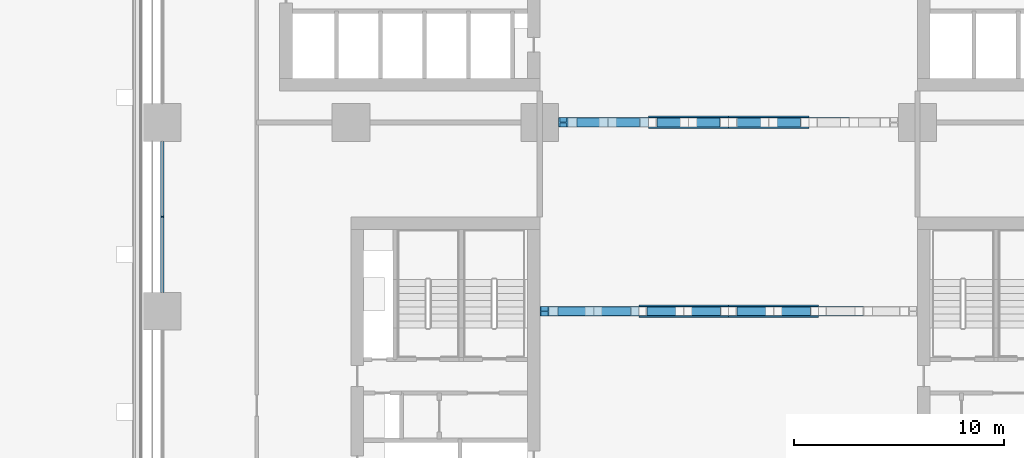
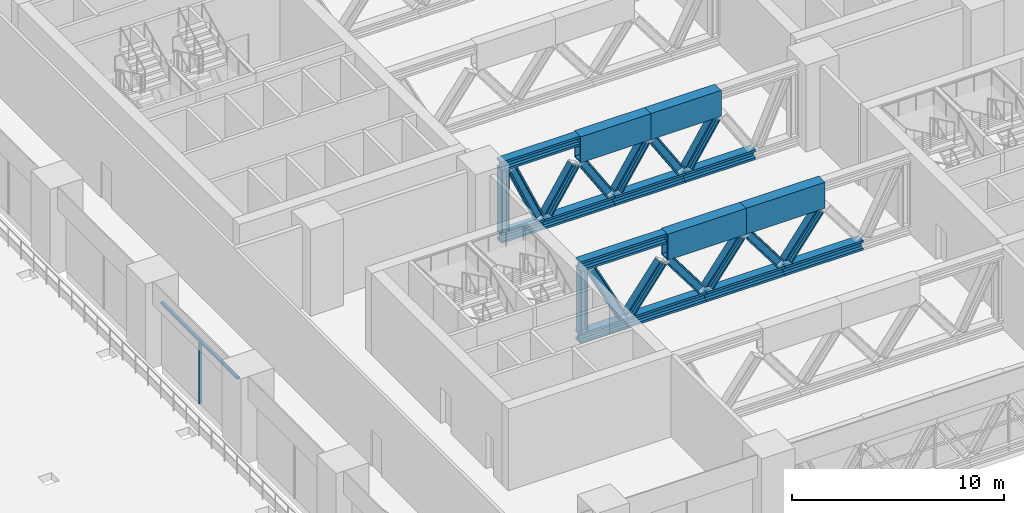
# One storey, part 4 of 35: 30 members, 1 element without a shape of its own.
"""IFC4 building model written with IfcOpenShell, lengths in metres."""

from ifc_helpers import new_model, si_unit, direction, frame, origin, origin_2d, place, context, subcontext, project, spatial, rectangle, hollow_rectangle, i_section, extrude, material, material_profile, profile_set, type_object, element, aggregate, save


model = new_model("IFC4")

# Units and contexts
model_context = context("Model", 3, precision=1e-05, world=origin(), true_north=direction((0.0, 1.0)))
body_context = subcontext(model_context, "Body", "Model", "MODEL_VIEW")
ifc_project = project(units=[si_unit("LENGTHUNIT", "METRE"), si_unit("AREAUNIT", "SQUARE_METRE"), si_unit("VOLUMEUNIT", "CUBIC_METRE"), si_unit("PLANEANGLEUNIT", "RADIAN"), si_unit("MASSUNIT", "GRAM", prefix="KILO")], contexts=[model_context])

# Site, building, storey
site_placement = place(None, origin())
site = spatial("IfcSite", under=ifc_project, at=site_placement, CompositionType="ELEMENT")
building_placement = place(site_placement, origin())
building = spatial("IfcBuilding", under=site, at=building_placement, Name="Tessera Arch", CompositionType="ELEMENT")
storey_placement = place(building_placement, frame((0.0, 0.0, 26.0)))
storey = spatial("IfcBuildingStorey", under=building, at=storey_placement, Name="L04", CompositionType="ELEMENT", Elevation=26.0)

# Curtain wall, members
ifc_material_1 = material(Name="CW7 curtain wall")
curtain_wall_type = type_object("IfcCurtainWallType", Name="CW7 curtain wall", PredefinedType="NOTDEFINED", material=ifc_material_1)
curtain_wall_placement = place(storey_placement, origin())
curtain_wall = element("IfcCurtainWall", 1, at=curtain_wall_placement, inside=storey, type_object=curtain_wall_type, Name="CW7 curtain wall W0.0/3 L04", PredefinedType="NOTDEFINED")
ifc_material_2 = material(Name="Anodised aluminium pale metal", Category="aluminium")
ifc_material_profile_1 = material_profile(ifc_material_2, rectangle(XDim=0.159912109375, YDim=0.06005859375, at=origin_2d()), Name="AL 60x160")
ifc_profile_set_1 = profile_set([ifc_material_profile_1], Name="Anodised aluminium pale metal")
member_type_1 = type_object("IfcMemberType", Name="CW7 mullion", PredefinedType="MULLION", material=ifc_profile_set_1)
member_1_placement = place(storey_placement, frame((0.0, 22.5, 0.0), z_axis=(0.0, 0.0, 1.0), x_axis=(1.0, 0.0, 0.0)))
member_1 = element("IfcMember", 2, at=member_1_placement, type_object=member_type_1, Name="CW7 mullion W0.0/3 1", PredefinedType="MULLION", context=body_context, shape_type="SweptSolid", body=[
    extrude(rectangle(XDim=0.159912109375, YDim=0.06005859375, at=origin_2d()), origin(), (0.0, 0.0, 1.0), 3.580078125),
])
ifc_material_3 = material(Name="Anodised aluminium pale metal", Category="aluminium")
ifc_material_profile_2 = material_profile(ifc_material_3, rectangle(XDim=0.159912109375, YDim=0.1201171875, at=origin_2d()), Name="AL 160x120")
ifc_profile_set_2 = profile_set([ifc_material_profile_2], Name="Anodised aluminium pale metal")
member_type_2 = type_object("IfcMemberType", Name="CW7 transom", PredefinedType="USERDEFINED", material=ifc_profile_set_2)
member_2_placement = place(storey_placement, frame((0.0, 26.10009765625, 3.639892578125), z_axis=(0.0, -1.0, 0.0), x_axis=(1.0, 0.0, 0.0)))
member_2 = element("IfcMember", 3, at=member_2_placement, type_object=member_type_2, Name="CW7 transom W0.0/3 1.1", ObjectType="TRANSOM", PredefinedType="USERDEFINED", context=body_context, shape_type="SweptSolid", body=[
    extrude(rectangle(XDim=0.159912109375, YDim=0.1201171875, at=origin_2d()), origin(), (0.0, 0.0, 1.0), 7.2001953125),
])
aggregate(curtain_wall, [member_1, member_2])

# Members
ifc_material_4 = material(Name="Steel A572 Gr50", Category="steel")
ifc_material_profile_3 = material_profile(ifc_material_4, hollow_rectangle(XDim=0.60009765625, YDim=1.5, WallThickness=0.06005859375, at=origin_2d()), Name="BOX 600x1500x60")
ifc_profile_set_3 = profile_set([ifc_material_profile_3], Name="Steel A572 Gr50")
member_type_3 = type_object("IfcMemberType", Name="Transfer truss node girder BOX 600x1500x60", PredefinedType="CHORD", material=ifc_profile_set_3)
for number, where, z_axis, x_axis, name in (
    (4, (22.71728515625, 18.0, 3.949951171875), (1.0, 0.0, 0.0), (0.0, 1.0, 0.0), "Transfer truss node girder 2"),
    (5, (27.0, 18.0, 3.949951171875), (1.0, 0.0, 0.0), (0.0, 1.0, 0.0), "Transfer truss node girder 3"),
):
    element("IfcMember", number, at=place(storey_placement, frame(where, z_axis=z_axis, x_axis=x_axis)), inside=storey, type_object=member_type_3, Name=name, PredefinedType="CHORD", context=body_context, shape_type="SweptSolid", body=[
        extrude(hollow_rectangle(XDim=0.60009765625, YDim=1.5, WallThickness=0.06005859375, at=origin_2d()), origin(), (0.0, 0.0, 1.0), 4.28271484375),
    ])
for number, where, z_axis, x_axis, name in (
    (6, (23.167236328125, 27.0, 3.949951171875), (1.0, 0.0, 0.0), (0.0, 1.0, 0.0), "Transfer truss node girder 2"),
    (7, (27.0, 27.0, 3.949951171875), (1.0, 0.0, 0.0), (0.0, 1.0, 0.0), "Transfer truss node girder 3"),
):
    element("IfcMember", number, at=place(storey_placement, frame(where, z_axis=z_axis, x_axis=x_axis)), inside=storey, type_object=member_type_3, Name=name, PredefinedType="CHORD", context=body_context, shape_type="SweptSolid", body=[
        extrude(hollow_rectangle(XDim=0.60009765625, YDim=1.5, WallThickness=0.06005859375, at=origin_2d()), origin(), (0.0, 0.0, 1.0), 3.832763671875),
    ])
ifc_material_5 = material(Name="Steel A992 Gr50", Category="steel")
ifc_material_profile_4 = material_profile(ifc_material_5, i_section(OverallWidth=0.45458984375, OverallDepth=0.56884765625, WebThickness=0.077880859375, FlangeThickness=0.124755859375, at=origin_2d()), Name="W14x730")
ifc_profile_set_4 = profile_set([ifc_material_profile_4], Name="Steel A992 Gr50")
member_type_4 = type_object("IfcMemberType", Name="Truss chord W14x730", PredefinedType="CHORD", material=ifc_profile_set_4)
member_3_placement = place(storey_placement, frame((18.0, 18.0, 4.41552734375), z_axis=(1.0, 0.0, 0.0), x_axis=(0.0, 1.0, 0.0)))
element("IfcMember", 8, at=member_3_placement, inside=storey, type_object=member_type_4, Name="Transfer truss top chord 1", PredefinedType="CHORD", context=body_context, shape_type="SweptSolid", body=[
    extrude(i_section(OverallWidth=0.45458984375, OverallDepth=0.56884765625, WebThickness=0.077880859375, FlangeThickness=0.124755859375, at=origin_2d()), origin(), (0.0, 0.0, 1.0), 4.71728515625),
])
member_4_placement = place(storey_placement, frame((18.0, 18.0, 0.284423828125), z_axis=(1.0, 0.0, 0.0), x_axis=(0.0, 1.0, 0.0)))
element("IfcMember", 9, at=member_4_placement, inside=storey, type_object=member_type_4, Name="Transfer truss bottom chord 1", PredefinedType="CHORD", context=body_context, shape_type="SweptSolid", body=[
    extrude(i_section(OverallWidth=0.45458984375, OverallDepth=0.56884765625, WebThickness=0.077880859375, FlangeThickness=0.124755859375, at=origin_2d()), origin(), (0.0, 0.0, 1.0), 2.57568359375),
])
member_5_placement = place(storey_placement, frame((20.57568359375, 18.0, 0.284423828125), z_axis=(1.0, 0.0, 0.0), x_axis=(0.0, 1.0, 0.0)))
element("IfcMember", 10, at=member_5_placement, inside=storey, type_object=member_type_4, Name="Transfer truss bottom chord 2", PredefinedType="CHORD", context=body_context, shape_type="SweptSolid", body=[
    extrude(i_section(OverallWidth=0.45458984375, OverallDepth=0.56884765625, WebThickness=0.077880859375, FlangeThickness=0.124755859375, at=origin_2d()), origin(), (0.0, 0.0, 1.0), 4.282958984375),
])
member_6_placement = place(storey_placement, frame((24.858642578125, 18.0, 0.284423828125), z_axis=(1.0, 0.0, 0.0), x_axis=(0.0, 1.0, 0.0)))
element("IfcMember", 11, at=member_6_placement, inside=storey, type_object=member_type_4, Name="Transfer truss bottom chord 3", PredefinedType="CHORD", context=body_context, shape_type="SweptSolid", body=[
    extrude(i_section(OverallWidth=0.45458984375, OverallDepth=0.56884765625, WebThickness=0.077880859375, FlangeThickness=0.124755859375, at=origin_2d()), origin(), (0.0, 0.0, 1.0), 4.28271484375),
])
member_7_placement = place(storey_placement, frame((29.141357421875, 18.0, 0.284423828125), z_axis=(1.0, 0.0, 0.0), x_axis=(0.0, 1.0, 0.0)))
element("IfcMember", 12, at=member_7_placement, inside=storey, type_object=member_type_4, Name="Transfer truss bottom chord 4", PredefinedType="CHORD", context=body_context, shape_type="SweptSolid", body=[
    extrude(i_section(OverallWidth=0.45458984375, OverallDepth=0.56884765625, WebThickness=0.077880859375, FlangeThickness=0.124755859375, at=origin_2d()), origin(), (0.0, 0.0, 1.0), 4.282958984375),
])
member_8_placement = place(storey_placement, frame((18.900146484375, 27.0, 4.41552734375), z_axis=(1.0, 0.0, 0.0), x_axis=(0.0, 1.0, 0.0)))
element("IfcMember", 13, at=member_8_placement, inside=storey, type_object=member_type_4, Name="Transfer truss top chord 1", PredefinedType="CHORD", context=body_context, shape_type="SweptSolid", body=[
    extrude(i_section(OverallWidth=0.45458984375, OverallDepth=0.56884765625, WebThickness=0.077880859375, FlangeThickness=0.124755859375, at=origin_2d()), origin(), (0.0, 0.0, 1.0), 4.26708984375),
])
member_9_placement = place(storey_placement, frame((18.900146484375, 27.0, 0.284423828125), z_axis=(1.0, 0.0, 0.0), x_axis=(0.0, 1.0, 0.0)))
element("IfcMember", 14, at=member_9_placement, inside=storey, type_object=member_type_4, Name="Transfer truss bottom chord 1", PredefinedType="CHORD", context=body_context, shape_type="SweptSolid", body=[
    extrude(i_section(OverallWidth=0.45458984375, OverallDepth=0.56884765625, WebThickness=0.077880859375, FlangeThickness=0.124755859375, at=origin_2d()), origin(), (0.0, 0.0, 1.0), 2.3505859375),
])
member_10_placement = place(storey_placement, frame((21.250732421875, 27.0, 0.284423828125), z_axis=(1.0, 0.0, 0.0), x_axis=(0.0, 1.0, 0.0)))
element("IfcMember", 15, at=member_10_placement, inside=storey, type_object=member_type_4, Name="Transfer truss bottom chord 2", PredefinedType="CHORD", context=body_context, shape_type="SweptSolid", body=[
    extrude(i_section(OverallWidth=0.45458984375, OverallDepth=0.56884765625, WebThickness=0.077880859375, FlangeThickness=0.124755859375, at=origin_2d()), origin(), (0.0, 0.0, 1.0), 3.832763671875),
])
member_11_placement = place(storey_placement, frame((25.08349609375, 27.0, 0.284423828125), z_axis=(1.0, 0.0, 0.0), x_axis=(0.0, 1.0, 0.0)))
element("IfcMember", 16, at=member_11_placement, inside=storey, type_object=member_type_4, Name="Transfer truss bottom chord 3", PredefinedType="CHORD", context=body_context, shape_type="SweptSolid", body=[
    extrude(i_section(OverallWidth=0.45458984375, OverallDepth=0.56884765625, WebThickness=0.077880859375, FlangeThickness=0.124755859375, at=origin_2d()), origin(), (0.0, 0.0, 1.0), 3.8330078125),
])
member_12_placement = place(storey_placement, frame((28.91650390625, 27.0, 0.284423828125), z_axis=(1.0, 0.0, 0.0), x_axis=(0.0, 1.0, 0.0)))
element("IfcMember", 17, at=member_12_placement, inside=storey, type_object=member_type_4, Name="Transfer truss bottom chord 4", PredefinedType="CHORD", context=body_context, shape_type="SweptSolid", body=[
    extrude(i_section(OverallWidth=0.45458984375, OverallDepth=0.56884765625, WebThickness=0.077880859375, FlangeThickness=0.124755859375, at=origin_2d()), origin(), (0.0, 0.0, 1.0), 3.832763671875),
])
ifc_material_6 = material(Name="Steel A992 Gr50", Category="steel")
ifc_material_profile_5 = material_profile(ifc_material_6, i_section(OverallWidth=0.424072265625, OverallDepth=0.47412109375, WebThickness=0.047607421875, FlangeThickness=0.0771484375, at=origin_2d()), Name="W14x426")
ifc_profile_set_5 = profile_set([ifc_material_profile_5], Name="Steel A992 Gr50")
member_type_5 = type_object("IfcMemberType", Name="Truss diagonal W14x426", PredefinedType="BRACE", material=ifc_profile_set_5)
member_13_placement = place(storey_placement, frame((18.653564453125, 18.0, 4.006591796875), z_axis=(0.457173271573, 0.0, -0.889377647436), x_axis=(0.0, 1.0, 0.0)))
element("IfcMember", 18, at=member_13_placement, inside=storey, type_object=member_type_5, Name="Transfer truss diagonal 1", PredefinedType="BRACE", context=body_context, shape_type="SweptSolid", body=[
    extrude(i_section(OverallWidth=0.424072265625, OverallDepth=0.47412109375, WebThickness=0.047607421875, FlangeThickness=0.0771484375, at=origin_2d()), origin(), (0.0, 0.0, 1.0), 3.725341796875),
])
for number, where, z_axis, x_axis, name in (
    (19, (20.776123046875, 18.0, 0.725830078125), (0.600592846889, 0.0, 0.799555021412), (0.0, 1.0, 0.0), "Transfer truss diagonal 2"),
    (20, (22.91748046875, 18.0, 3.043212890625), (0.600592846889, 0.0, -0.799555021412), (0.0, 1.0, 0.0), "Transfer truss diagonal 3"),
):
    element("IfcMember", number, at=place(storey_placement, frame(where, z_axis=z_axis, x_axis=x_axis)), inside=storey, type_object=member_type_5, Name=name, PredefinedType="BRACE", context=body_context, shape_type="SweptSolid", body=[
        extrude(i_section(OverallWidth=0.424072265625, OverallDepth=0.47412109375, WebThickness=0.047607421875, FlangeThickness=0.0771484375, at=origin_2d()), origin(), (0.0, 0.0, 1.0), 2.8984375),
    ])
for number, where, z_axis, x_axis, name in (
    (21, (25.05908203125, 18.0, 0.725830078125), (0.6005389926, 0.0, 0.799595471702), (0.0, 1.0, 0.0), "Transfer truss diagonal 4"),
    (22, (27.200439453125, 18.0, 3.043212890625), (0.6005389926, 0.0, -0.799595471702), (0.0, 1.0, 0.0), "Transfer truss diagonal 5"),
):
    element("IfcMember", number, at=place(storey_placement, frame(where, z_axis=z_axis, x_axis=x_axis)), inside=storey, type_object=member_type_5, Name=name, PredefinedType="BRACE", context=body_context, shape_type="SweptSolid", body=[
        extrude(i_section(OverallWidth=0.424072265625, OverallDepth=0.47412109375, WebThickness=0.047607421875, FlangeThickness=0.0771484375, at=origin_2d()), origin(), (0.0, 0.0, 1.0), 2.898193359375),
    ])
member_14_placement = place(storey_placement, frame((29.341796875, 18.0, 0.725830078125), z_axis=(0.600592846889, 0.0, 0.799555021412), x_axis=(0.0, 1.0, 0.0)))
element("IfcMember", 23, at=member_14_placement, inside=storey, type_object=member_type_5, Name="Transfer truss diagonal 6", PredefinedType="BRACE", context=body_context, shape_type="SweptSolid", body=[
    extrude(i_section(OverallWidth=0.424072265625, OverallDepth=0.47412109375, WebThickness=0.047607421875, FlangeThickness=0.0771484375, at=origin_2d()), origin(), (0.0, 0.0, 1.0), 2.8984375),
])
member_15_placement = place(storey_placement, frame((19.558837890625, 27.0, 4.01904296875), z_axis=(0.402507504904, 0.0, -0.915416685721), x_axis=(0.0, 1.0, 0.0)))
element("IfcMember", 24, at=member_15_placement, inside=storey, type_object=member_type_5, Name="Transfer truss diagonal 1", PredefinedType="BRACE", context=body_context, shape_type="SweptSolid", body=[
    extrude(i_section(OverallWidth=0.424072265625, OverallDepth=0.47412109375, WebThickness=0.047607421875, FlangeThickness=0.0771484375, at=origin_2d()), origin(), (0.0, 0.0, 1.0), 3.646484375),
])
for number, where, z_axis, x_axis, name in (
    (25, (21.46044921875, 27.0, 0.711669921875), (0.538089832254, 0.0, 0.842887496897), (0.0, 1.0, 0.0), "Transfer truss diagonal 2"),
    (26, (23.376708984375, 27.0, 3.05712890625), (0.538089832254, 0.0, -0.842887496897), (0.0, 1.0, 0.0), "Transfer truss diagonal 3"),
    (27, (25.293212890625, 27.0, 0.711669921875), (0.538089832254, 0.0, 0.842887496897), (0.0, 1.0, 0.0), "Transfer truss diagonal 4"),
    (28, (27.20947265625, 27.0, 3.05712890625), (0.538089832254, 0.0, -0.842887496897), (0.0, 1.0, 0.0), "Transfer truss diagonal 5"),
    (29, (29.1259765625, 27.0, 0.711669921875), (0.538089832254, 0.0, 0.842887496897), (0.0, 1.0, 0.0), "Transfer truss diagonal 6"),
):
    element("IfcMember", number, at=place(storey_placement, frame(where, z_axis=z_axis, x_axis=x_axis)), inside=storey, type_object=member_type_5, Name=name, PredefinedType="BRACE", context=body_context, shape_type="SweptSolid", body=[
        extrude(i_section(OverallWidth=0.424072265625, OverallDepth=0.47412109375, WebThickness=0.047607421875, FlangeThickness=0.0771484375, at=origin_2d()), origin(), (0.0, 0.0, 1.0), 2.78271484375),
    ])
ifc_material_7 = material(Name="Steel A992 Gr50", Category="steel")
ifc_material_profile_6 = material_profile(ifc_material_7, i_section(OverallWidth=0.411376953125, OverallDepth=0.434326171875, WebThickness=0.035888671875, FlangeThickness=0.057373046875, at=origin_2d()), Name="W14x311")
ifc_profile_set_6 = profile_set([ifc_material_profile_6], Name="Steel A992 Gr50")
member_type_6 = type_object("IfcMemberType", Name="Truss post W14x311", PredefinedType="POST", material=ifc_profile_set_6)
for number, where, z_axis, x_axis, name in (
    (30, (18.21728515625, 18.0, 0.56884765625), (0.0, 0.0, 1.0), (0.0, 1.0, 0.0), "Transfer truss end post 1"),
    (31, (19.1171875, 27.0, 0.56884765625), (0.0, 0.0, 1.0), (0.0, 1.0, 0.0), "Transfer truss end post 1"),
):
    element("IfcMember", number, at=place(storey_placement, frame(where, z_axis=z_axis, x_axis=x_axis)), inside=storey, type_object=member_type_6, Name=name, PredefinedType="POST", context=body_context, shape_type="SweptSolid", body=[
        extrude(i_section(OverallWidth=0.411376953125, OverallDepth=0.434326171875, WebThickness=0.035888671875, FlangeThickness=0.057373046875, at=origin_2d()), origin(), (0.0, 0.0, 1.0), 3.562255859375),
    ])

save(model, "model.ifc")
